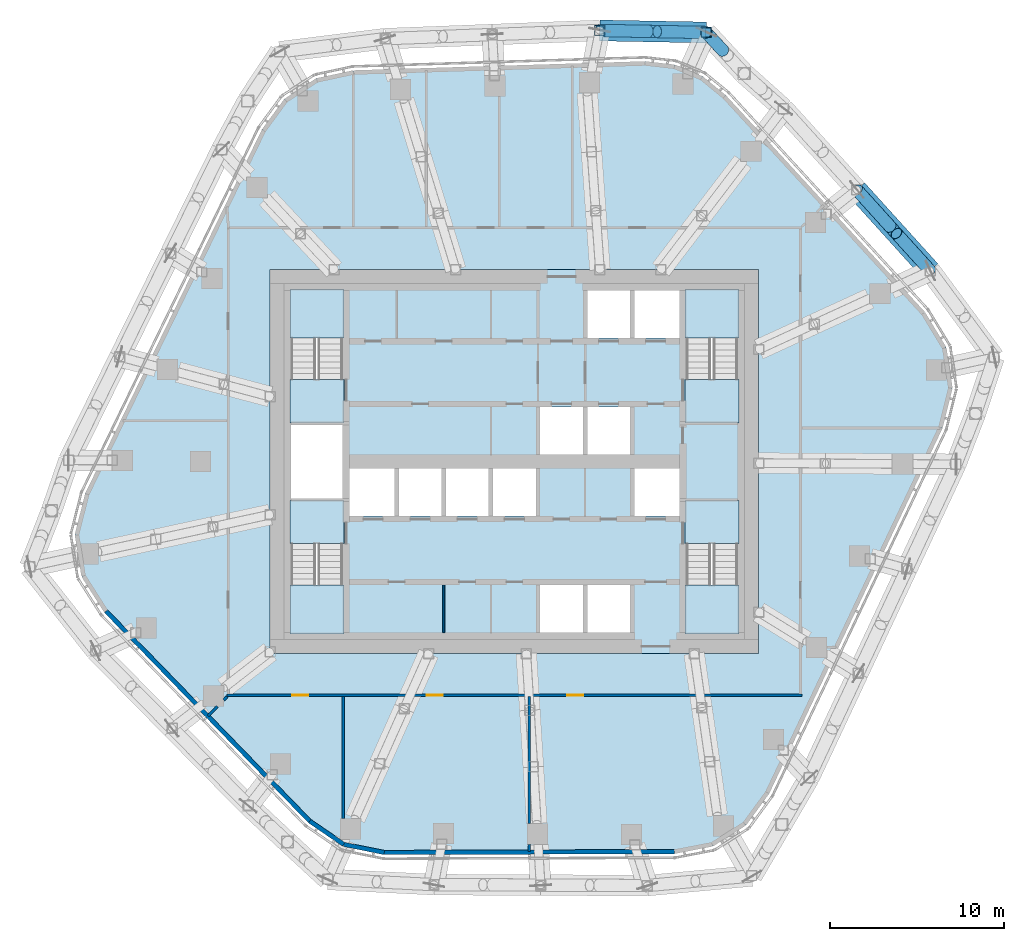
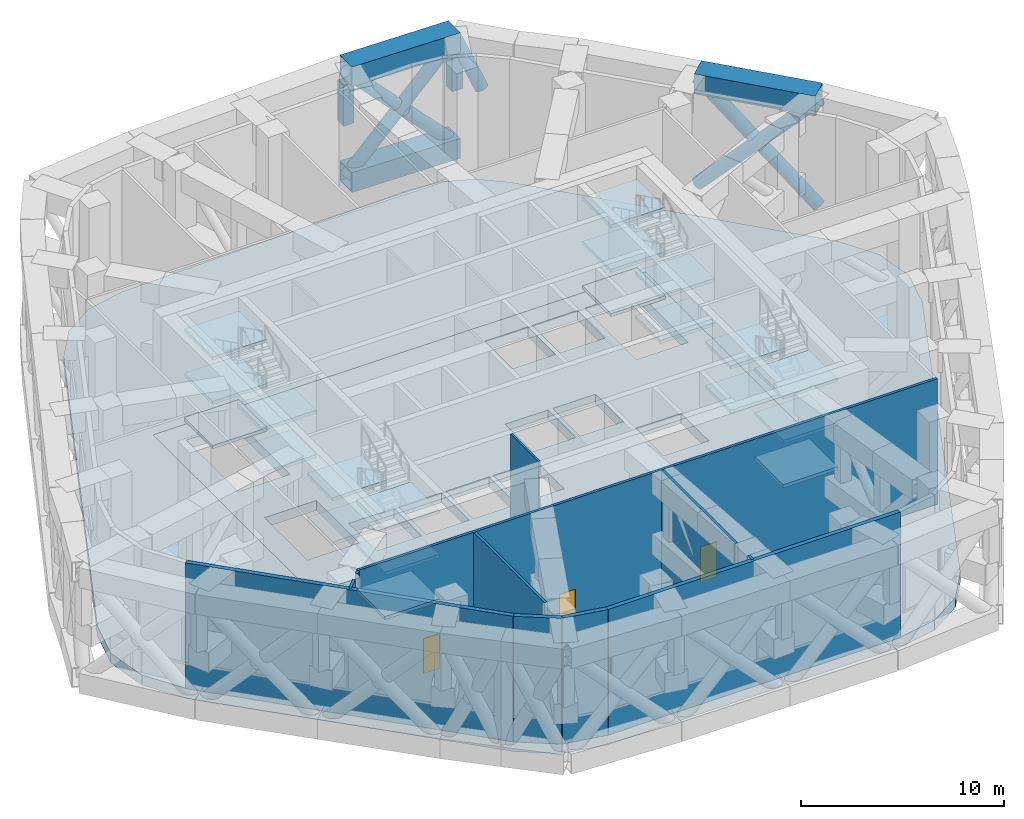
# One storey, part 10 of 21: 22 slabs, 12 members, 11 walls, 3 doors, 3 openings, 4 elements without a shape of their own.
"""IFC4 building model written with IfcOpenShell, lengths in metres."""

import ifcopenshell
import ifcopenshell.guid

model = None  # the IFC model being written
_history = None  # IfcOwnerHistory: only IFC2X3 demands one
_inside = {}  # id of a spatial element -> (the spatial element, [elements in it])
_under = {}  # id of a project, library or spatial element -> (it, [spatial elements below it])
_declared = {}  # id of a project -> (the project, [libraries it declares])
_typed = {}  # id of a type object -> (the type object, [elements of that type])
_made_of = {}  # id of a material, layer set ... -> (it, [elements and type objects made of it])


def new_model(schema):
    """Start an empty IFC model of exactly this schema.

    Asked for "IFC4X3", IfcOpenShell would pick the latest addendum, in which some entities
    have other attributes; the version numbers below select the first issue.
    IFC2X3 requires an IfcOwnerHistory on every rooted entity: one is made here for all.
    """
    global model, _history
    if schema == "IFC4X3":
        model = ifcopenshell.file(schema_version=(4, 3, 0, 0))
    else:
        model = ifcopenshell.file(schema=schema)
    _inside.clear()
    _under.clear()
    _declared.clear()
    _typed.clear()
    _made_of.clear()
    _history = None
    if model.schema == "IFC2X3":
        org = make("IfcOrganization", Name="unknown")
        user = make(
            "IfcPersonAndOrganization",
            ThePerson=make("IfcPerson", FamilyName="unknown"),
            TheOrganization=org,
        )
        app = make(
            "IfcApplication",
            ApplicationDeveloper=org,
            Version="unknown",
            ApplicationFullName="unknown",
            ApplicationIdentifier="unknown",
        )
        _history = make(
            "IfcOwnerHistory",
            OwningUser=user,
            OwningApplication=app,
            ChangeAction="ADDED",
            CreationDate=0,
        )
    return model


def make(cls, **values):
    """One entity of the class cls with the attributes given. An attribute that is None is left unset."""
    return model.create_entity(
        cls, **{name: value for name, value in values.items() if value is not None}
    )


def rooted(cls, **values):
    """An entity with a GlobalId (a new one), such as an element, a storey or a relation."""
    return make(cls, GlobalId=ifcopenshell.guid.new(), OwnerHistory=_history, **values)


def si_unit(unit_type, name, prefix=None):
    """IfcSIUnit, for example si_unit("LENGTHUNIT", "METRE", prefix="MILLI")."""
    return make("IfcSIUnit", UnitType=unit_type, Prefix=prefix, Name=name)


def assignment(units):
    """IfcUnitAssignment: the units of a project."""
    return None if units is None else make("IfcUnitAssignment", Units=units)


def point(xyz):
    """IfcCartesianPoint."""
    return None if xyz is None else make("IfcCartesianPoint", Coordinates=xyz)


def direction(xyz):
    """IfcDirection."""
    return None if xyz is None else make("IfcDirection", DirectionRatios=xyz)


def frame(location, z_axis=None, x_axis=None):
    """IfcAxis2Placement3D, a coordinate frame: its origin and axes. An axis left out is left unset."""
    return make(
        "IfcAxis2Placement3D",
        Location=point(location),
        Axis=direction(z_axis),
        RefDirection=direction(x_axis),
    )


def frame_2d(location, x_axis=None):
    """IfcAxis2Placement2D, a coordinate frame in the plane: its origin and x axis."""
    return make(
        "IfcAxis2Placement2D", Location=point(location), RefDirection=direction(x_axis)
    )


def origin():
    """The frame at (0, 0, 0) with its axes left unset."""
    return frame((0.0, 0.0, 0.0))


def origin_2d():
    """The frame at (0, 0) in the plane with its x axis left unset."""
    return frame_2d((0.0, 0.0))


def place(relative_to, where):
    """IfcLocalPlacement: puts the frame where relative to a parent placement (None: the world)."""
    return make(
        "IfcLocalPlacement", PlacementRelTo=relative_to, RelativePlacement=where
    )


def context(
    kind, dimensions, precision=None, world=None, true_north=None, identifier=None
):
    """IfcGeometricRepresentationContext, for example the 3D "Model" context."""
    return make(
        "IfcGeometricRepresentationContext",
        ContextIdentifier=identifier,
        ContextType=kind,
        CoordinateSpaceDimension=dimensions,
        Precision=precision,
        WorldCoordinateSystem=world,
        TrueNorth=true_north,
    )


def subcontext(parent, identifier, kind, view, scale=None):
    """IfcGeometricRepresentationSubContext, for example "Body" below "Model"."""
    return make(
        "IfcGeometricRepresentationSubContext",
        ContextIdentifier=identifier,
        ContextType=kind,
        ParentContext=parent,
        TargetScale=scale,
        TargetView=view,
    )


def project(units=None, contexts=None):
    """IfcProject with its units and contexts."""
    return rooted(
        "IfcProject",
        Name="project",
        RepresentationContexts=contexts,
        UnitsInContext=assignment(units),
    )


def spatial(cls, under=None, at=None, **own):
    """A site, building, storey or space (cls), placed at a placement, below another one or the project."""
    s = rooted(cls, ObjectPlacement=at, **own)
    if under is not None:
        _under.setdefault(under.id(), (under, []))[1].append(s)
    return s


def polyline(points):
    """IfcPolyline through the points."""
    return make("IfcPolyline", Points=[point(p) for p in points])


def profile(cls, at=None, kind="AREA", **sizes):
    """A parametric profile (cls). Its sizes go by their IFC names, for example OverallWidth=200.0."""
    return make(cls, ProfileType=kind, Position=at, **sizes)


def rectangle(**sizes):
    """IfcRectangleProfileDef."""
    return profile("IfcRectangleProfileDef", **sizes)


def hollow_rectangle(**sizes):
    """IfcRectangleHollowProfileDef."""
    return profile("IfcRectangleHollowProfileDef", **sizes)


def hollow_circle(**sizes):
    """IfcCircleHollowProfileDef."""
    return profile("IfcCircleHollowProfileDef", **sizes)


def outline(outer, holes=None, kind="AREA"):
    """IfcArbitraryClosedProfileDef: a profile drawn as a closed curve; with holes, ...WithVoids."""
    if holes is None:
        return make("IfcArbitraryClosedProfileDef", ProfileType=kind, OuterCurve=outer)
    return make(
        "IfcArbitraryProfileDefWithVoids",
        ProfileType=kind,
        OuterCurve=outer,
        InnerCurves=holes,
    )


def extrude(swept, where, along, depth):
    """IfcExtrudedAreaSolid: the profile swept, set in the frame where, extruded along a direction by depth."""
    return make(
        "IfcExtrudedAreaSolid",
        SweptArea=swept,
        Position=where,
        ExtrudedDirection=direction(along),
        Depth=depth,
    )


def shape(context_of_items, identifier, shape_type, items):
    """IfcShapeRepresentation: the items that make up one representation, for example the "Body"."""
    return make(
        "IfcShapeRepresentation",
        ContextOfItems=context_of_items,
        RepresentationIdentifier=identifier,
        RepresentationType=shape_type,
        Items=items,
    )


def material(Name=None, Category=None):
    """IfcMaterial."""
    return make("IfcMaterial", Name=Name, Category=Category)


def layer(
    of_material, thickness, ventilated=None, Name=None, Category=None, Priority=None
):
    """IfcMaterialLayer: one layer of a wall or slab, of a material (None: an air gap)."""
    return make(
        "IfcMaterialLayer",
        Material=of_material,
        LayerThickness=thickness,
        IsVentilated=ventilated,
        Name=Name,
        Category=Category,
        Priority=Priority,
    )


def layer_set(layers, Name=None):
    """IfcMaterialLayerSet."""
    return make("IfcMaterialLayerSet", MaterialLayers=layers, LayerSetName=Name)


def material_profile(
    of_material, cross_section, Name=None, Category=None, Priority=None
):
    """IfcMaterialProfile: a cross section and its material."""
    return make(
        "IfcMaterialProfile",
        Name=Name,
        Material=of_material,
        Profile=cross_section,
        Priority=Priority,
        Category=Category,
    )


def profile_set(profiles, Name=None, composite=None):
    """IfcMaterialProfileSet."""
    return make(
        "IfcMaterialProfileSet",
        Name=Name,
        MaterialProfiles=profiles,
        CompositeProfile=composite,
    )


def made_of(thing, what):
    """Note that an element or type object is made of a material, layer set ...; save() writes the relation."""
    if what is not None:
        _made_of.setdefault(what.id(), (what, []))[1].append(thing)
    return thing


def type_object(cls, material=None, **own):
    """A type object (cls), such as IfcWallType, which elements share."""
    return made_of(rooted(cls, **own), material)


def element(
    cls,
    number,
    at=None,
    inside=None,
    cuts=None,
    type_object=None,
    material=None,
    context=None,
    identifier="Body",
    shape_type=None,
    held_by="IfcProductDefinitionShape",
    body=None,
    shapes=None,
    **own,
):
    """One element of the class cls, such as IfcWall. Its Tag is "e" and its number.

    at: its placement. inside: the storey or other place that contains it. cuts: it is an
    opening in that element (IfcRelVoidsElement). A single representation is given by context,
    identifier, shape_type and body (its items); several are given by shapes. held_by: the class
    of the entity that holds the representations. save() writes the other relations.
    """
    e = rooted(cls, Tag="e%d" % number, ObjectPlacement=at, **own)
    if body is not None:
        shapes = [shape(context, identifier, shape_type, body)]
    if shapes is not None:
        e.Representation = make(held_by, Representations=shapes)
    if inside is not None:
        _inside.setdefault(inside.id(), (inside, []))[1].append(e)
    if cuts is not None:
        rooted(
            "IfcRelVoidsElement", RelatingBuildingElement=cuts, RelatedOpeningElement=e
        )
    if type_object is not None:
        _typed.setdefault(type_object.id(), (type_object, []))[1].append(e)
    return made_of(e, material)


def fill(opening, filler):
    """IfcRelFillsElement: the door or window that sits in an opening."""
    return rooted(
        "IfcRelFillsElement",
        RelatingOpeningElement=opening,
        RelatedBuildingElement=filler,
    )


def aggregate(whole, parts):
    """IfcRelAggregates: a whole, such as a stair, and the parts it consists of."""
    return rooted("IfcRelAggregates", RelatingObject=whole, RelatedObjects=parts)


def save(model, path):
    """Write the relations noted so far, then the file.

    IfcRelAggregates (storeys below a building ...), IfcRelContainedInSpatialStructure (elements
    in a storey), IfcRelDefinesByType, IfcRelAssociatesMaterial and IfcRelDeclares: one each for
    every whole, place, type object, material and project.
    """
    for whole, parts in _under.values():
        aggregate(whole, parts)
    for where, things in _inside.values():
        rooted(
            "IfcRelContainedInSpatialStructure",
            RelatedElements=things,
            RelatingStructure=where,
        )
    for kind, things in _typed.values():
        rooted("IfcRelDefinesByType", RelatedObjects=things, RelatingType=kind)
    for what, things in _made_of.values():
        rooted("IfcRelAssociatesMaterial", RelatedObjects=things, RelatingMaterial=what)
    for by, libraries in _declared.values():
        rooted("IfcRelDeclares", RelatingContext=by, RelatedDefinitions=libraries)
    model.write(path)


model = new_model("IFC4")

# Units and contexts
model_context = context("Model", 3, precision=1e-05, world=origin(), true_north=direction((0.0, 1.0)))
body_context = subcontext(model_context, "Body", "Model", "MODEL_VIEW")
ifc_project = project(units=[si_unit("LENGTHUNIT", "METRE"), si_unit("AREAUNIT", "SQUARE_METRE"), si_unit("VOLUMEUNIT", "CUBIC_METRE"), si_unit("PLANEANGLEUNIT", "RADIAN"), si_unit("MASSUNIT", "GRAM", prefix="KILO")], contexts=[model_context])

# Site, building, storey
site_placement = place(None, origin())
site = spatial("IfcSite", under=ifc_project, at=site_placement, CompositionType="ELEMENT")
building_placement = place(site_placement, origin())
building = spatial("IfcBuilding", under=site, at=building_placement, Name="Dongbaek Canopy Tower", CompositionType="ELEMENT")
storey_placement = place(building_placement, frame((0.0, 0.0, 220.60009765625)))
storey = spatial("IfcBuildingStorey", under=building, at=storey_placement, Name="L46", CompositionType="ELEMENT", Elevation=220.60009765625)

# Members
ifc_material_1 = material(Name="Steel S355", Category="steel")
ifc_material_profile_1 = material_profile(ifc_material_1, hollow_circle(Radius=0.35546875, WallThickness=0.02001953125, at=origin_2d()), Name="BELT BRACE CHS 711.0x20.0 Steel S355")
ifc_profile_set_1 = profile_set([ifc_material_profile_1], Name="Steel S355")
member_type_1 = type_object("IfcMemberType", Name="BELT BRACE CHS 711.0x20.0 Steel S355", PredefinedType="BRACE", material=ifc_profile_set_1)
member_1_placement = place(storey_placement, frame((4.88330078125, 24.7138671875, 0.599853515625), z_axis=(0.693112811482, -0.013050936844, 0.720710970922), x_axis=(0.018826118416, 0.999822772928, 0.0)))
element("IfcMember", 1, at=member_1_placement, inside=storey, type_object=member_type_1, Name="BELT:L46:16:D0:0", PredefinedType="BRACE", context=body_context, shape_type="SweptSolid", body=[
    extrude(hollow_circle(Radius=0.35546875, WallThickness=0.02001953125, at=origin_2d()), origin(), (0.0, 0.0, 1.0), 8.810791015625),
])
for number, where, z_axis, x_axis, name in (
    (2, (10.990234375, 24.598876953125, 0.599853515625), (-0.693106027614, 0.013082022092, 0.720716931384), (-0.018871127911, -0.99982192441, 0.0), "BELT:L46:16:D0:1"),
    (3, (4.88330078125, 24.7138671875, 6.949951171875), (0.69310657298, -0.013021746522, -0.720717498476), (0.018784194944, 0.999823561445, 0.0), "BELT:L46:16:D0:2"),
):
    element("IfcMember", number, at=place(storey_placement, frame(where, z_axis=z_axis, x_axis=x_axis)), inside=storey, type_object=member_type_1, Name=name, PredefinedType="BRACE", context=body_context, shape_type="SweptSolid", body=[
        extrude(hollow_circle(Radius=0.35546875, WallThickness=0.02001953125, at=origin_2d()), origin(), (0.0, 0.0, 1.0), 4.0498046875),
    ])
member_2_placement = place(storey_placement, frame((10.990234375, 24.598876953125, 6.949951171875), z_axis=(0.30620678548, -0.33150859968, -0.892378536757), x_axis=(0.734583798934, 0.67851797496, 0.0)))
element("IfcMember", 4, at=member_2_placement, inside=storey, type_object=member_type_1, Name="BELT:L46:17:D0:2", PredefinedType="BRACE", context=body_context, shape_type="SweptSolid", body=[
    extrude(hollow_circle(Radius=0.35546875, WallThickness=0.02001953125, at=origin_2d()), origin(), (0.0, 0.0, 1.0), 3.11669921875),
])
member_3_placement = place(storey_placement, frame((19.62548828125, 15.58349609375, 0.599853515625), z_axis=(0.471429250765, -0.520635670878, 0.711823685847), x_axis=(0.741268018685, 0.671209151066, 0.0)))
element("IfcMember", 5, at=member_3_placement, inside=storey, type_object=member_type_1, Name="BELT:L46:19:D0:0", PredefinedType="BRACE", context=body_context, shape_type="SweptSolid", body=[
    extrude(hollow_circle(Radius=0.35546875, WallThickness=0.02001953125, at=origin_2d()), origin(), (0.0, 0.0, 1.0), 8.9208984375),
])
for number, where, z_axis, x_axis, name in (
    (6, (23.8310546875, 10.93896484375, 0.599853515625), (-0.471412546807, 0.520659277662, 0.71181748173), (-0.741294993189, -0.671179359838, 0.0), "BELT:L46:19:D0:1"),
    (7, (19.62548828125, 15.58349609375, 6.949951171875), (0.471412546807, -0.520659277662, -0.71181748173), (0.741294993189, 0.671179359838, 0.0), "BELT:L46:19:D0:2"),
):
    element("IfcMember", number, at=place(storey_placement, frame(where, z_axis=z_axis, x_axis=x_axis)), inside=storey, type_object=member_type_1, Name=name, PredefinedType="BRACE", context=body_context, shape_type="SweptSolid", body=[
        extrude(hollow_circle(Radius=0.35546875, WallThickness=0.02001953125, at=origin_2d()), origin(), (0.0, 0.0, 1.0), 4.104736328125),
    ])
ifc_material_2 = material(Name="Steel S355", Category="steel")
ifc_material_profile_2 = material_profile(ifc_material_2, hollow_rectangle(XDim=1.199951171875, YDim=1.199951171875, WallThickness=0.06005859375, at=origin_2d()), Name="BELT CHORD BOX 1200x1200x60 Steel S355")
ifc_profile_set_2 = profile_set([ifc_material_profile_2], Name="Steel S355")
member_type_2 = type_object("IfcMemberType", Name="BELT CHORD BOX 1200x1200x60 Steel S355", PredefinedType="CHORD", material=ifc_profile_set_2)
for number, where, z_axis, x_axis, name in (
    (8, (4.88330078125, 24.7138671875, 0.599853515625), (0.999822772928, -0.018826118416, 0.0), (0.018826118416, 0.999822772928, 0.0), "BELT:L46:16:CB0"),
    (9, (4.88330078125, 24.7138671875, 6.949951171875), (0.999822772928, -0.018826118416, 0.0), (0.018826118416, 0.999822772928, 0.0), "BELT:L46:16:CT0"),
):
    element("IfcMember", number, at=place(storey_placement, frame(where, z_axis=z_axis, x_axis=x_axis)), inside=storey, type_object=member_type_2, Name=name, PredefinedType="CHORD", context=body_context, shape_type="SweptSolid", body=[
        extrude(hollow_rectangle(XDim=1.199951171875, YDim=1.199951171875, WallThickness=0.06005859375, at=origin_2d()), origin(), (0.0, 0.0, 1.0), 6.10791015625),
    ])
member_4_placement = place(storey_placement, frame((19.62548828125, 15.58349609375, 6.949951171875), z_axis=(0.671209151066, -0.741268018685, 0.0), x_axis=(0.741268018685, 0.671209151066, 0.0)))
element("IfcMember", 10, at=member_4_placement, inside=storey, type_object=member_type_2, Name="BELT:L46:19:CT0", PredefinedType="CHORD", context=body_context, shape_type="SweptSolid", body=[
    extrude(hollow_rectangle(XDim=1.199951171875, YDim=1.199951171875, WallThickness=0.06005859375, at=origin_2d()), origin(), (0.0, 0.0, 1.0), 6.265625),
])
ifc_material_3 = material(Name="Steel S355", Category="steel")
ifc_material_profile_3 = material_profile(ifc_material_3, hollow_rectangle(XDim=0.60009765625, YDim=0.60009765625, WallThickness=0.031982421875, at=origin_2d()), Name="OUTRIGGER POST BOX 600x600x32 Steel S355")
ifc_profile_set_3 = profile_set([ifc_material_profile_3], Name="Steel S355")
member_type_3 = type_object("IfcMemberType", Name="OUTRIGGER POST BOX 600x600x32 Steel S355", PredefinedType="POST", material=ifc_profile_set_3)
member_5_placement = place(storey_placement, frame((4.88330078125, 24.7138671875, 3.89990234375), z_axis=(0.0, 0.0, 1.0), x_axis=(1.0, 0.0, 0.0)))
element("IfcMember", 11, at=member_5_placement, inside=storey, type_object=member_type_3, Name="TRUSS:L46:16s:P1", PredefinedType="POST", context=body_context, shape_type="SweptSolid", body=[
    extrude(hollow_rectangle(XDim=0.60009765625, YDim=0.60009765625, WallThickness=0.031982421875, at=origin_2d()), origin(), (0.0, 0.0, 1.0), 2.449951171875),
])
ifc_material_4 = material(Name="Steel S355", Category="steel")
ifc_material_profile_4 = material_profile(ifc_material_4, hollow_rectangle(XDim=0.60009765625, YDim=0.60009765625, WallThickness=0.031982421875, at=origin_2d()), Name="POST BOX 600x600x32 Steel S355")
ifc_profile_set_4 = profile_set([ifc_material_profile_4], Name="Steel S355")
member_type_4 = type_object("IfcMemberType", Name="POST BOX 600x600x32 Steel S355", PredefinedType="POST", material=ifc_profile_set_4)
member_6_placement = place(storey_placement, frame((10.990234375, 24.598876953125, 3.89990234375), z_axis=(0.0, 0.0, 1.0), x_axis=(1.0, 0.0, 0.0)))
element("IfcMember", 12, at=member_6_placement, inside=storey, type_object=member_type_4, Name="TRUSS:L46:17:P1", PredefinedType="POST", context=body_context, shape_type="SweptSolid", body=[
    extrude(hollow_rectangle(XDim=0.60009765625, YDim=0.60009765625, WallThickness=0.031982421875, at=origin_2d()), origin(), (0.0, 0.0, 1.0), 2.449951171875),
])

# Slab
ifc_material_5 = material(Name="Concrete C40/50", Category="concrete")
ifc_layer_1 = layer(ifc_material_5, 0.60009765625)
ifc_layer_set_1 = layer_set([ifc_layer_1], Name="Core floor slab 600 Concrete C40/50")
slab_type_1 = type_object("IfcSlabType", Name="Core floor slab 600 Concrete C40/50", PredefinedType="FLOOR", material=ifc_layer_set_1)
slab_1_placement = place(storey_placement, frame((0.0, 0.0, -0.60009765625)))
element("IfcSlab", 13, at=slab_1_placement, inside=storey, type_object=slab_type_1, Name="Core floor slab L46", PredefinedType="FLOOR", context=body_context, shape_type="SweptSolid", body=[
    extrude(outline(polyline([(14.0, -11.0), (14.0, 11.0), (-14.0, 11.0), (-14.0, -11.0), (14.0, -11.0)]), holes=[polyline([(-12.800048828125, 2.10009765625), (-9.85009765625, 2.10009765625), (-9.85009765625, -2.10009765625), (-12.800048828125, -2.10009765625), (-12.800048828125, 2.10009765625)]), polyline([(6.625, 9.800048828125), (6.625, 7.074951171875), (4.175048828125, 7.074951171875), (4.175048828125, 9.800048828125), (6.625, 9.800048828125)]), polyline([(9.449951171875, 7.074951171875), (6.875, 7.074951171875), (6.875, 9.800048828125), (9.449951171875, 9.800048828125), (9.449951171875, 7.074951171875)]), polyline([(3.925048828125, 3.125), (3.925048828125, 0.39990234375), (1.47509765625, 0.39990234375), (1.47509765625, 3.125), (3.925048828125, 3.125)]), polyline([(4.175048828125, 3.125), (6.625, 3.125), (6.625, 0.39990234375), (4.175048828125, 0.39990234375), (4.175048828125, 3.125)]), polyline([(-9.449951171875, -0.39990234375), (-6.875, -0.39990234375), (-6.875, -3.125), (-9.449951171875, -3.125), (-9.449951171875, -0.39990234375)]), polyline([(-6.625, -0.39990234375), (-4.175048828125, -0.39990234375), (-4.175048828125, -3.125), (-6.625, -3.125), (-6.625, -0.39990234375)]), polyline([(-3.925048828125, -0.39990234375), (-1.47509765625, -0.39990234375), (-1.47509765625, -3.125), (-3.925048828125, -3.125), (-3.925048828125, -0.39990234375)]), polyline([(-1.22509765625, -0.39990234375), (1.22509765625, -0.39990234375), (1.22509765625, -3.125), (-1.22509765625, -3.125), (-1.22509765625, -0.39990234375)]), polyline([(9.449951171875, -3.125), (6.875, -3.125), (6.875, -0.39990234375), (9.449951171875, -0.39990234375), (9.449951171875, -3.125)]), polyline([(1.47509765625, -9.800048828125), (1.47509765625, -7.074951171875), (3.925048828125, -7.074951171875), (3.925048828125, -9.800048828125), (1.47509765625, -9.800048828125)]), polyline([(4.175048828125, -9.800048828125), (4.175048828125, -7.074951171875), (6.625, -7.074951171875), (6.625, -9.800048828125), (4.175048828125, -9.800048828125)]), polyline([(12.800048828125, 4.70068359375), (12.800048828125, 9.800048828125), (9.85009765625, 9.800048828125), (9.85009765625, 4.70068359375), (12.800048828125, 4.70068359375)]), polyline([(-9.85009765625, 4.70068359375), (-9.85009765625, 9.800048828125), (-12.800048828125, 9.800048828125), (-12.800048828125, 4.70068359375), (-9.85009765625, 4.70068359375)]), polyline([(9.85009765625, -4.70068359375), (9.85009765625, -9.800048828125), (12.800048828125, -9.800048828125), (12.800048828125, -4.70068359375), (9.85009765625, -4.70068359375)]), polyline([(-12.800048828125, -4.70068359375), (-12.800048828125, -9.800048828125), (-9.85009765625, -9.800048828125), (-9.85009765625, -4.70068359375), (-12.800048828125, -4.70068359375)])]), origin(), (0.0, 0.0, 1.0), 0.60009765625),
])

# Stair, slabs
ifc_material_6 = material(Name="Concrete C40/50", Category="concrete")
stair_type = type_object("IfcStairType", Name="Core exit stair", PredefinedType="HALF_TURN_STAIR", material=ifc_material_6)
stair_1_placement = place(storey_placement, origin())
stair_1 = element("IfcStair", 14, at=stair_1_placement, inside=storey, type_object=stair_type, Name="L46 exit stair A", PredefinedType="HALF_TURN_STAIR")
ifc_material_7 = material(Name="Concrete C40/50", Category="concrete")
ifc_layer_2 = layer(ifc_material_7, 0.199951171875)
ifc_layer_set_2 = layer_set([ifc_layer_2], Name="Core stair landing 200")
slab_type_2 = type_object("IfcSlabType", Name="Core stair landing 200", PredefinedType="LANDING", material=ifc_layer_set_2)
slab_2_placement = place(storey_placement, frame((0.0, 0.0, 1.13330078125)))
slab_2 = element("IfcSlab", 15, at=slab_2_placement, type_object=slab_type_2, Name="ST-A landing 1", PredefinedType="LANDING", context=body_context, shape_type="SweptSolid", body=[
    extrude(outline(polyline([(12.875, 7.080078125), (12.875, 9.875), (9.77490234375, 9.875), (9.77490234375, 7.080078125), (12.875, 7.080078125)])), origin(), (0.0, 0.0, 1.0), 0.199951171875),
])
slab_3_placement = place(storey_placement, frame((0.0, 0.0, 2.466552734375)))
slab_3 = element("IfcSlab", 16, at=slab_3_placement, type_object=slab_type_2, Name="ST-A landing 2", PredefinedType="LANDING", context=body_context, shape_type="SweptSolid", body=[
    extrude(outline(polyline([(12.875, 2.22509765625), (12.875, 4.699951171875), (9.77490234375, 4.699951171875), (9.77490234375, 2.22509765625), (12.875, 2.22509765625)])), origin(), (0.0, 0.0, 1.0), 0.199951171875),
])
slab_4_placement = place(storey_placement, frame((0.0, 0.0, 3.7998046875)))
slab_4 = element("IfcSlab", 17, at=slab_4_placement, type_object=slab_type_2, Name="ST-A landing 3", PredefinedType="LANDING", context=body_context, shape_type="SweptSolid", body=[
    extrude(outline(polyline([(12.875, 7.080078125), (12.875, 9.875), (9.77490234375, 9.875), (9.77490234375, 7.080078125), (12.875, 7.080078125)])), origin(), (0.0, 0.0, 1.0), 0.2001953125),
])
slab_5_placement = place(storey_placement, frame((0.0, 0.0, 5.13330078125)))
slab_5 = element("IfcSlab", 18, at=slab_5_placement, type_object=slab_type_2, Name="ST-A landing 4", PredefinedType="LANDING", context=body_context, shape_type="SweptSolid", body=[
    extrude(outline(polyline([(12.875, 2.22509765625), (12.875, 4.699951171875), (9.77490234375, 4.699951171875), (9.77490234375, 2.22509765625), (12.875, 2.22509765625)])), origin(), (0.0, 0.0, 1.0), 0.199951171875),
])
slab_6_placement = place(storey_placement, frame((0.0, 0.0, 6.466552734375)))
slab_6 = element("IfcSlab", 19, at=slab_6_placement, type_object=slab_type_2, Name="ST-A landing 5", PredefinedType="LANDING", context=body_context, shape_type="SweptSolid", body=[
    extrude(outline(polyline([(12.875, 7.080078125), (12.875, 9.875), (9.77490234375, 9.875), (9.77490234375, 7.080078125), (12.875, 7.080078125)])), origin(), (0.0, 0.0, 1.0), 0.199951171875),
])
aggregate(stair_1, [slab_2, slab_3, slab_4, slab_5, slab_6])

stair_2_placement = place(storey_placement, origin())
stair_2 = element("IfcStair", 20, at=stair_2_placement, inside=storey, type_object=stair_type, Name="L46 exit stair C", PredefinedType="HALF_TURN_STAIR")
slab_7_placement = place(storey_placement, frame((0.0, 0.0, 1.13330078125)))
slab_7 = element("IfcSlab", 21, at=slab_7_placement, type_object=slab_type_2, Name="ST-C landing 1", PredefinedType="LANDING", context=body_context, shape_type="SweptSolid", body=[
    extrude(outline(polyline([(-9.77490234375, 7.080078125), (-9.77490234375, 9.875), (-12.875, 9.875), (-12.875, 7.080078125), (-9.77490234375, 7.080078125)])), origin(), (0.0, 0.0, 1.0), 0.199951171875),
])
slab_8_placement = place(storey_placement, frame((0.0, 0.0, 2.466552734375)))
slab_8 = element("IfcSlab", 22, at=slab_8_placement, type_object=slab_type_2, Name="ST-C landing 2", PredefinedType="LANDING", context=body_context, shape_type="SweptSolid", body=[
    extrude(outline(polyline([(-9.77490234375, 2.22509765625), (-9.77490234375, 4.699951171875), (-12.875, 4.699951171875), (-12.875, 2.22509765625), (-9.77490234375, 2.22509765625)])), origin(), (0.0, 0.0, 1.0), 0.199951171875),
])
slab_9_placement = place(storey_placement, frame((0.0, 0.0, 3.7998046875)))
slab_9 = element("IfcSlab", 23, at=slab_9_placement, type_object=slab_type_2, Name="ST-C landing 3", PredefinedType="LANDING", context=body_context, shape_type="SweptSolid", body=[
    extrude(outline(polyline([(-9.77490234375, 7.080078125), (-9.77490234375, 9.875), (-12.875, 9.875), (-12.875, 7.080078125), (-9.77490234375, 7.080078125)])), origin(), (0.0, 0.0, 1.0), 0.2001953125),
])
slab_10_placement = place(storey_placement, frame((0.0, 0.0, 5.13330078125)))
slab_10 = element("IfcSlab", 24, at=slab_10_placement, type_object=slab_type_2, Name="ST-C landing 4", PredefinedType="LANDING", context=body_context, shape_type="SweptSolid", body=[
    extrude(outline(polyline([(-9.77490234375, 2.22509765625), (-9.77490234375, 4.699951171875), (-12.875, 4.699951171875), (-12.875, 2.22509765625), (-9.77490234375, 2.22509765625)])), origin(), (0.0, 0.0, 1.0), 0.199951171875),
])
slab_11_placement = place(storey_placement, frame((0.0, 0.0, 6.466552734375)))
slab_11 = element("IfcSlab", 25, at=slab_11_placement, type_object=slab_type_2, Name="ST-C landing 5", PredefinedType="LANDING", context=body_context, shape_type="SweptSolid", body=[
    extrude(outline(polyline([(-9.77490234375, 7.080078125), (-9.77490234375, 9.875), (-12.875, 9.875), (-12.875, 7.080078125), (-9.77490234375, 7.080078125)])), origin(), (0.0, 0.0, 1.0), 0.199951171875),
])
aggregate(stair_2, [slab_7, slab_8, slab_9, slab_10, slab_11])

stair_3_placement = place(storey_placement, origin())
stair_3 = element("IfcStair", 26, at=stair_3_placement, inside=storey, type_object=stair_type, Name="L46 exit stair B", PredefinedType="HALF_TURN_STAIR")
slab_12_placement = place(storey_placement, frame((0.0, 0.0, 1.13330078125)))
slab_12 = element("IfcSlab", 27, at=slab_12_placement, type_object=slab_type_2, Name="ST-B landing 1", PredefinedType="LANDING", context=body_context, shape_type="SweptSolid", body=[
    extrude(outline(polyline([(9.77490234375, -7.080078125), (9.77490234375, -9.875), (12.875, -9.875), (12.875, -7.080078125), (9.77490234375, -7.080078125)])), origin(), (0.0, 0.0, 1.0), 0.199951171875),
])
slab_13_placement = place(storey_placement, frame((0.0, 0.0, 2.466552734375)))
slab_13 = element("IfcSlab", 28, at=slab_13_placement, type_object=slab_type_2, Name="ST-B landing 2", PredefinedType="LANDING", context=body_context, shape_type="SweptSolid", body=[
    extrude(outline(polyline([(9.77490234375, -2.22509765625), (9.77490234375, -4.699951171875), (12.875, -4.699951171875), (12.875, -2.22509765625), (9.77490234375, -2.22509765625)])), origin(), (0.0, 0.0, 1.0), 0.199951171875),
])
slab_14_placement = place(storey_placement, frame((0.0, 0.0, 3.7998046875)))
slab_14 = element("IfcSlab", 29, at=slab_14_placement, type_object=slab_type_2, Name="ST-B landing 3", PredefinedType="LANDING", context=body_context, shape_type="SweptSolid", body=[
    extrude(outline(polyline([(9.77490234375, -7.080078125), (9.77490234375, -9.875), (12.875, -9.875), (12.875, -7.080078125), (9.77490234375, -7.080078125)])), origin(), (0.0, 0.0, 1.0), 0.2001953125),
])
slab_15_placement = place(storey_placement, frame((0.0, 0.0, 5.13330078125)))
slab_15 = element("IfcSlab", 30, at=slab_15_placement, type_object=slab_type_2, Name="ST-B landing 4", PredefinedType="LANDING", context=body_context, shape_type="SweptSolid", body=[
    extrude(outline(polyline([(9.77490234375, -2.22509765625), (9.77490234375, -4.699951171875), (12.875, -4.699951171875), (12.875, -2.22509765625), (9.77490234375, -2.22509765625)])), origin(), (0.0, 0.0, 1.0), 0.199951171875),
])
slab_16_placement = place(storey_placement, frame((0.0, 0.0, 6.466552734375)))
slab_16 = element("IfcSlab", 31, at=slab_16_placement, type_object=slab_type_2, Name="ST-B landing 5", PredefinedType="LANDING", context=body_context, shape_type="SweptSolid", body=[
    extrude(outline(polyline([(9.77490234375, -7.080078125), (9.77490234375, -9.875), (12.875, -9.875), (12.875, -7.080078125), (9.77490234375, -7.080078125)])), origin(), (0.0, 0.0, 1.0), 0.199951171875),
])
aggregate(stair_3, [slab_12, slab_13, slab_14, slab_15, slab_16])

stair_4_placement = place(storey_placement, origin())
stair_4 = element("IfcStair", 32, at=stair_4_placement, inside=storey, type_object=stair_type, Name="L46 exit stair D", PredefinedType="HALF_TURN_STAIR")
slab_17_placement = place(storey_placement, frame((0.0, 0.0, 1.13330078125)))
slab_17 = element("IfcSlab", 33, at=slab_17_placement, type_object=slab_type_2, Name="ST-D landing 1", PredefinedType="LANDING", context=body_context, shape_type="SweptSolid", body=[
    extrude(outline(polyline([(-12.875, -7.080078125), (-12.875, -9.875), (-9.77490234375, -9.875), (-9.77490234375, -7.080078125), (-12.875, -7.080078125)])), origin(), (0.0, 0.0, 1.0), 0.199951171875),
])
slab_18_placement = place(storey_placement, frame((0.0, 0.0, 2.466552734375)))
slab_18 = element("IfcSlab", 34, at=slab_18_placement, type_object=slab_type_2, Name="ST-D landing 2", PredefinedType="LANDING", context=body_context, shape_type="SweptSolid", body=[
    extrude(outline(polyline([(-12.875, -2.22509765625), (-12.875, -4.699951171875), (-9.77490234375, -4.699951171875), (-9.77490234375, -2.22509765625), (-12.875, -2.22509765625)])), origin(), (0.0, 0.0, 1.0), 0.199951171875),
])
slab_19_placement = place(storey_placement, frame((0.0, 0.0, 3.7998046875)))
slab_19 = element("IfcSlab", 35, at=slab_19_placement, type_object=slab_type_2, Name="ST-D landing 3", PredefinedType="LANDING", context=body_context, shape_type="SweptSolid", body=[
    extrude(outline(polyline([(-12.875, -7.080078125), (-12.875, -9.875), (-9.77490234375, -9.875), (-9.77490234375, -7.080078125), (-12.875, -7.080078125)])), origin(), (0.0, 0.0, 1.0), 0.2001953125),
])
slab_20_placement = place(storey_placement, frame((0.0, 0.0, 5.13330078125)))
slab_20 = element("IfcSlab", 36, at=slab_20_placement, type_object=slab_type_2, Name="ST-D landing 4", PredefinedType="LANDING", context=body_context, shape_type="SweptSolid", body=[
    extrude(outline(polyline([(-12.875, -2.22509765625), (-12.875, -4.699951171875), (-9.77490234375, -4.699951171875), (-9.77490234375, -2.22509765625), (-12.875, -2.22509765625)])), origin(), (0.0, 0.0, 1.0), 0.199951171875),
])
slab_21_placement = place(storey_placement, frame((0.0, 0.0, 6.466552734375)))
slab_21 = element("IfcSlab", 37, at=slab_21_placement, type_object=slab_type_2, Name="ST-D landing 5", PredefinedType="LANDING", context=body_context, shape_type="SweptSolid", body=[
    extrude(outline(polyline([(-12.875, -7.080078125), (-12.875, -9.875), (-9.77490234375, -9.875), (-9.77490234375, -7.080078125), (-12.875, -7.080078125)])), origin(), (0.0, 0.0, 1.0), 0.199951171875),
])
aggregate(stair_4, [slab_17, slab_18, slab_19, slab_20, slab_21])

# Slab
ifc_material_8 = material(Name="Concrete C40", Category="concrete")
ifc_layer_3 = layer(ifc_material_8, 0.60009765625)
ifc_layer_set_3 = layer_set([ifc_layer_3], Name="RC PLANT FLOOR SLAB 600 Concrete C40")
slab_type_3 = type_object("IfcSlabType", Name="RC PLANT FLOOR SLAB 600 Concrete C40", PredefinedType="FLOOR", material=ifc_layer_set_3)
slab_22_placement = place(storey_placement, frame((0.0, 0.0, -0.60009765625)))
element("IfcSlab", 38, at=slab_22_placement, inside=storey, type_object=slab_type_3, Name="SLAB:L46", PredefinedType="FLOOR", context=body_context, shape_type="SweptSolid", body=[
    extrude(outline(polyline([(14.578125, -19.026123046875), (13.260009765625, -20.832763671875), (11.37158203125, -22.03125), (9.17578125, -22.454833984375), (-7.474609375, -22.506591796875), (-9.822509765625, -22.035888671875), (-11.79931640625, -20.6845703125), (-23.492431640625, -8.6328125), (-24.795654296875, -6.58447265625), (-25.180419921875, -4.1875), (-24.583740234375, -1.833984375), (-14.454833984375, 19.02734375), (-13.17431640625, 20.771484375), (-11.3583984375, 21.947998046875), (-9.2431640625, 22.40380859375), (7.497314453125, 22.922607421875), (9.198486328125, 22.73095703125), (10.776123046875, 22.066650390625), (12.102294921875, 20.98388671875), (23.514404296875, 8.556640625), (24.736328125, 6.542236328125), (25.08837890625, 4.212646484375), (24.516357421875, 1.927001953125), (14.578125, -19.026123046875)]), holes=[polyline([(14.0, 11.0), (-14.0, 11.0), (-14.0, -11.0), (14.0, -11.0), (14.0, 11.0)])]), origin(), (0.0, 0.0, 1.0), 0.60009765625),
])

# Wall, openings, doors
ifc_material_9 = material(Name="Gypsum board partition, steel stud, 2 x 15 mm fire board", Category="steel")
ifc_layer_4 = layer(ifc_material_9, 0.14990234375)
ifc_layer_set_4 = layer_set([ifc_layer_4], Name="Fire-rated partition 150 gypsum board")
wall_type_1 = type_object("IfcWallType", Name="Fire-rated partition 150 gypsum board", PredefinedType="PARTITIONING", material=ifc_layer_set_4)
wall_1_placement = place(storey_placement, frame((16.47509765625, -13.39990234375, 0.0), z_axis=(0.0, 0.0, 1.0), x_axis=(-1.0, 0.0, 0.0)))
wall_1 = element("IfcWall", 39, at=wall_1_placement, inside=storey, type_object=wall_type_1, Name="Corridor partition", PredefinedType="PARTITIONING", context=body_context, shape_type="SweptSolid", body=[
    extrude(rectangle(XDim=32.9501953125, YDim=0.14990234375, at=frame_2d((16.47509765625, 0.0))), origin(), (0.0, 0.0, 1.0), 7.5498046875),
])
opening_1_placement = place(wall_1_placement, frame((28.297607421875, 0.0, 0.0)))
opening_1 = element("IfcOpeningElement", 40, at=opening_1_placement, cuts=wall_1, Name="Opening L46-D002", PredefinedType="OPENING", context=body_context, shape_type="SweptSolid", body=[
    extrude(rectangle(XDim=0.89990234375, YDim=2.10009765625, at=frame_2d((0.449951171875, 1.050048828125))), frame((0.0, 0.0849609375, 0.0), z_axis=(0.0, -1.0, 0.0), x_axis=(1.0, 0.0, 0.0)), (0.0, 0.0, 1.0), 0.169921875),
])
opening_2_placement = place(wall_1_placement, frame((20.589599609375, 0.0, 0.0)))
opening_2 = element("IfcOpeningElement", 41, at=opening_2_placement, cuts=wall_1, Name="Opening L46-D003", PredefinedType="OPENING", context=body_context, shape_type="SweptSolid", body=[
    extrude(rectangle(XDim=0.89990234375, YDim=2.10009765625, at=frame_2d((0.449951171875, 1.050048828125))), frame((0.0, 0.0849609375, 0.0), z_axis=(0.0, -1.0, 0.0), x_axis=(1.0, 0.0, 0.0)), (0.0, 0.0, 1.0), 0.169921875),
])
opening_3_placement = place(wall_1_placement, frame((12.54052734375, 0.0, 0.0)))
opening_3 = element("IfcOpeningElement", 42, at=opening_3_placement, cuts=wall_1, Name="Opening L46-D004", PredefinedType="OPENING", context=body_context, shape_type="SweptSolid", body=[
    extrude(rectangle(XDim=0.89990234375, YDim=2.10009765625, at=frame_2d((0.449951171875, 1.050048828125))), frame((0.0, 0.0849609375, 0.0), z_axis=(0.0, -1.0, 0.0), x_axis=(1.0, 0.0, 0.0)), (0.0, 0.0, 1.0), 0.169921875),
])
ifc_material_10 = material(Name="Timber veneered door leaf", Category="wood")
door_type_1 = type_object("IfcDoorType", Name="Room door 900 x 2100", OperationType="SINGLE_SWING_LEFT", PredefinedType="DOOR", material=ifc_material_10)
door_1_placement = place(opening_2_placement, origin())
door_1 = element("IfcDoor", 43, at=door_1_placement, inside=storey, type_object=door_type_1, Name="Door L46-D003", OperationType="SINGLE_SWING_RIGHT", OverallHeight=2.10009765625, OverallWidth=0.89990234375, PredefinedType="DOOR", context=body_context, shape_type="SweptSolid", body=[
    extrude(rectangle(XDim=0.89990234375, YDim=2.10009765625, at=frame_2d((0.449951171875, 1.050048828125))), frame((0.0, 0.02490234375, 0.0), z_axis=(0.0, -1.0, 0.0), x_axis=(1.0, 0.0, 0.0)), (0.0, 0.0, 1.0), 0.050048828125),
])
fill(opening_2, door_1)
door_2_placement = place(opening_3_placement, origin())
door_2 = element("IfcDoor", 44, at=door_2_placement, inside=storey, type_object=door_type_1, Name="Door L46-D004", OperationType="SINGLE_SWING_LEFT", OverallHeight=2.10009765625, OverallWidth=0.89990234375, PredefinedType="DOOR", context=body_context, shape_type="SweptSolid", body=[
    extrude(rectangle(XDim=0.89990234375, YDim=2.10009765625, at=frame_2d((0.449951171875, 1.050048828125))), frame((0.0, 0.02490234375, 0.0), z_axis=(0.0, -1.0, 0.0), x_axis=(1.0, 0.0, 0.0)), (0.0, 0.0, 1.0), 0.050048828125),
])
fill(opening_3, door_2)
ifc_material_11 = material(Name="Timber veneered door leaf", Category="wood")
door_type_2 = type_object("IfcDoorType", Name="Store door 900 x 2100", OperationType="SINGLE_SWING_LEFT", PredefinedType="DOOR", material=ifc_material_11)
door_3_placement = place(opening_1_placement, origin())
door_3 = element("IfcDoor", 45, at=door_3_placement, inside=storey, type_object=door_type_2, Name="Door L46-D002", OperationType="SINGLE_SWING_LEFT", OverallHeight=2.10009765625, OverallWidth=0.89990234375, PredefinedType="DOOR", context=body_context, shape_type="SweptSolid", body=[
    extrude(rectangle(XDim=0.89990234375, YDim=2.10009765625, at=frame_2d((0.449951171875, 1.050048828125))), frame((0.0, 0.02490234375, 0.0), z_axis=(0.0, -1.0, 0.0), x_axis=(1.0, 0.0, 0.0)), (0.0, 0.0, 1.0), 0.050048828125),
])
fill(opening_1, door_3)

# Walls
wall_2_placement = place(storey_placement, frame((-17.5615234375, -14.5732421875, 0.0), z_axis=(0.0, 0.0, 1.0), x_axis=(0.703572116598, 0.710623864464, 0.0)))
element("IfcWall", 46, at=wall_2_placement, inside=storey, type_object=wall_type_1, Name="Corridor partition", PredefinedType="PARTITIONING", context=body_context, shape_type="SweptSolid", body=[
    extrude(rectangle(XDim=0.76171875, YDim=0.14990234375, at=frame_2d((0.380859375, 0.0))), origin(), (0.0, 0.0, 1.0), 7.5498046875),
])
wall_3_placement = place(storey_placement, frame((-16.657958984375, -13.66064453125, 0.0), z_axis=(0.0, 0.0, 1.0), x_axis=(0.703320480556, 0.710872915246, 0.0)))
element("IfcWall", 47, at=wall_3_placement, inside=storey, type_object=wall_type_1, Name="Corridor partition", PredefinedType="PARTITIONING", context=body_context, shape_type="SweptSolid", body=[
    extrude(rectangle(XDim=0.258544921875, YDim=0.14990234375, at=frame_2d((0.12939453125, 0.0))), origin(), (0.0, 0.0, 1.0), 7.5498046875),
])
wall_4_placement = place(storey_placement, frame((0.85107421875, -22.360595703125, 0.0), z_axis=(0.0, 0.0, 1.0), x_axis=(0.0, 1.0, 0.0)))
element("IfcWall", 48, at=wall_4_placement, inside=storey, type_object=wall_type_1, Name="Corridor partition", PredefinedType="PARTITIONING", context=body_context, shape_type="SweptSolid", body=[
    extrude(rectangle(XDim=0.41259765625, YDim=0.14990234375, at=frame_2d((0.206298828125, 0.0))), origin(), (0.0, 0.0, 1.0), 7.5498046875),
])
wall_5_placement = place(storey_placement, frame((0.85107421875, -20.748046875, 0.0), z_axis=(0.0, 0.0, 1.0), x_axis=(0.0, 1.0, 0.0)))
element("IfcWall", 49, at=wall_5_placement, inside=storey, type_object=wall_type_1, Name="Corridor partition", PredefinedType="PARTITIONING", context=body_context, shape_type="SweptSolid", body=[
    extrude(rectangle(XDim=7.27294921875, YDim=0.14990234375, at=frame_2d((3.636474609375, 0.0))), origin(), (0.0, 0.0, 1.0), 7.5498046875),
])
wall_6_placement = place(storey_placement, frame((-9.822021484375, -20.4609375, 0.0), z_axis=(0.0, 0.0, 1.0), x_axis=(0.0, 1.0, 0.0)))
element("IfcWall", 50, at=wall_6_placement, inside=storey, type_object=wall_type_1, Name="Corridor partition", PredefinedType="PARTITIONING", context=body_context, shape_type="SweptSolid", body=[
    extrude(rectangle(XDim=6.98583984375, YDim=0.14990234375, at=frame_2d((3.492919921875, 0.0))), origin(), (0.0, 0.0, 1.0), 7.5498046875),
])
ifc_material_12 = material(Name="Gypsum board partition, steel stud, 2 x 12.5 mm board", Category="steel")
ifc_layer_5 = layer(ifc_material_12, 0.10009765625)
ifc_layer_set_5 = layer_set([ifc_layer_5], Name="Partition 100 gypsum board")
wall_type_2 = type_object("IfcWallType", Name="Partition 100 gypsum board", PredefinedType="PARTITIONING", material=ifc_layer_set_5)
wall_7_placement = place(storey_placement, frame((-4.050048828125, -9.800048828125, 0.0), z_axis=(0.0, 0.0, 1.0), x_axis=(0.0, 1.0, 0.0)))
element("IfcWall", 51, at=wall_7_placement, inside=storey, type_object=wall_type_2, Name="Core partition", PredefinedType="PARTITIONING", context=body_context, shape_type="SweptSolid", body=[
    extrude(rectangle(XDim=2.72509765625, YDim=0.10009765625, at=frame_2d((1.362548828125, 0.0))), origin(), (0.0, 0.0, 1.0), 7.5498046875),
])
ifc_material_13 = material(Name="Pale metal cladding on insulated wall")
ifc_layer_6 = layer(ifc_material_13, 0.25)
ifc_layer_set_6 = layer_set([ifc_layer_6], Name="Plant floor wall 250")
wall_type_3 = type_object("IfcWallType", Name="Plant floor wall 250", PredefinedType="SOLIDWALL", material=ifc_layer_set_6)
wall_8_placement = place(storey_placement, frame((-23.41357421875, -8.570556640625, 0.0), z_axis=(0.0, 0.0, 1.0), x_axis=(0.696348823558, -0.717703501405, 0.0)))
element("IfcWall", 52, at=wall_8_placement, inside=storey, type_object=wall_type_3, Name="Plant wall L46 F3 1", PredefinedType="SOLIDWALL", context=body_context, shape_type="SweptSolid", body=[
    extrude(rectangle(XDim=16.771728515625, YDim=0.25, at=frame_2d((8.3857421875, 0.0))), origin(), (0.0, 0.0, 1.0), 7.5498046875),
])
for number, where, z_axis, x_axis, name in (
    (53, (-11.734619140625, -20.607666015625, 0.0), (0.0, 0.0, 1.0), (0.825527569266, -0.564361792099, 0.0), "Plant wall L46 K4 1"),
    (54, (-9.782958984375, -21.94189453125, 0.0), (0.0, 0.0, 1.0), (0.980501160641, -0.196513292122, 0.0), "Plant wall L46 K4 2"),
):
    element("IfcWall", number, at=place(storey_placement, frame(where, z_axis=z_axis, x_axis=x_axis)), inside=storey, type_object=wall_type_3, Name=name, PredefinedType="SOLIDWALL", context=body_context, shape_type="SweptSolid", body=[
        extrude(rectangle(XDim=2.3642578125, YDim=0.25, at=frame_2d((1.18212890625, 0.0))), origin(), (0.0, 0.0, 1.0), 7.5498046875),
    ])
wall_9_placement = place(storey_placement, frame((-7.46484375, -22.406494140625, 0.0), z_axis=(0.0, 0.0, 1.0), x_axis=(0.999995157281, 0.003112139949, 0.0)))
element("IfcWall", 55, at=wall_9_placement, inside=storey, type_object=wall_type_3, Name="Plant wall L46 F4 1", PredefinedType="SOLIDWALL", context=body_context, shape_type="SweptSolid", body=[
    extrude(rectangle(XDim=16.630859375, YDim=0.25, at=frame_2d((8.3154296875, 0.0))), origin(), (0.0, 0.0, 1.0), 7.5498046875),
])

save(model, "model.ifc")
